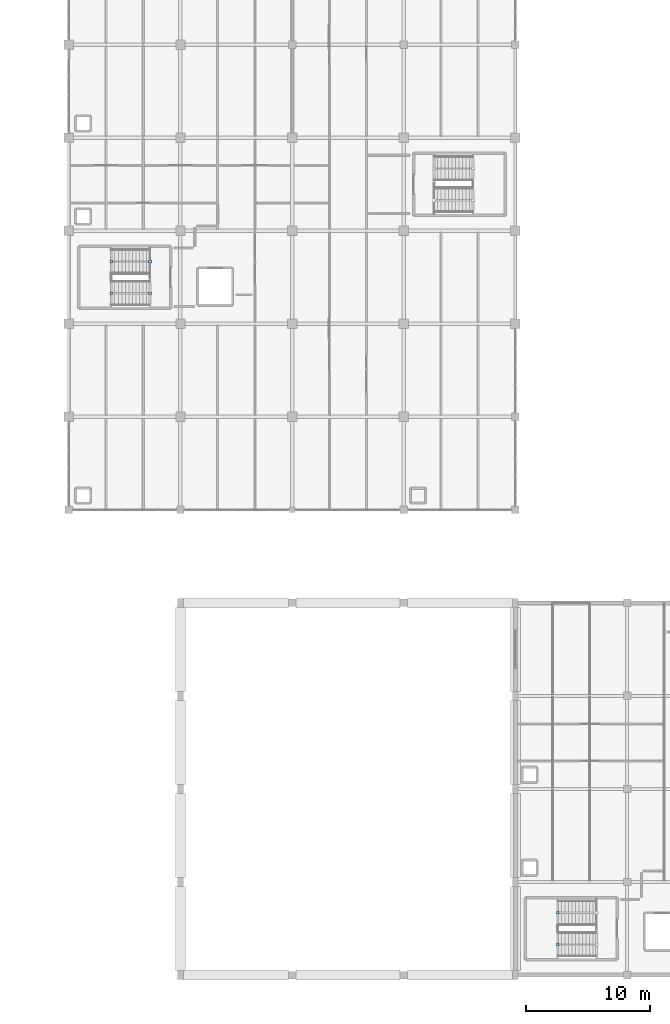
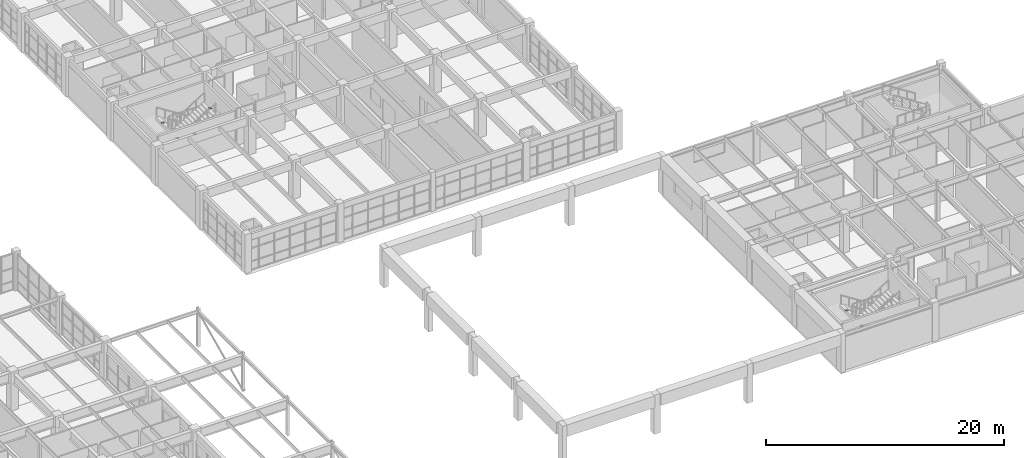
# One storey, part 59 of 76: 6 plates.
"""IFC4 building model written with IfcOpenShell, lengths in metres."""

import ifcopenshell
import ifcopenshell.guid

model = None  # the IFC model being written
_history = None  # IfcOwnerHistory: only IFC2X3 demands one
_inside = {}  # id of a spatial element -> (the spatial element, [elements in it])
_under = {}  # id of a project, library or spatial element -> (it, [spatial elements below it])
_declared = {}  # id of a project -> (the project, [libraries it declares])
_typed = {}  # id of a type object -> (the type object, [elements of that type])
_made_of = {}  # id of a material, layer set ... -> (it, [elements and type objects made of it])


def new_model(schema):
    """Start an empty IFC model of exactly this schema.

    Asked for "IFC4X3", IfcOpenShell would pick the latest addendum, in which some entities
    have other attributes; the version numbers below select the first issue.
    IFC2X3 requires an IfcOwnerHistory on every rooted entity: one is made here for all.
    """
    global model, _history
    if schema == "IFC4X3":
        model = ifcopenshell.file(schema_version=(4, 3, 0, 0))
    else:
        model = ifcopenshell.file(schema=schema)
    _inside.clear()
    _under.clear()
    _declared.clear()
    _typed.clear()
    _made_of.clear()
    _history = None
    if model.schema == "IFC2X3":
        org = make("IfcOrganization", Name="unknown")
        user = make(
            "IfcPersonAndOrganization",
            ThePerson=make("IfcPerson", FamilyName="unknown"),
            TheOrganization=org,
        )
        app = make(
            "IfcApplication",
            ApplicationDeveloper=org,
            Version="unknown",
            ApplicationFullName="unknown",
            ApplicationIdentifier="unknown",
        )
        _history = make(
            "IfcOwnerHistory",
            OwningUser=user,
            OwningApplication=app,
            ChangeAction="ADDED",
            CreationDate=0,
        )
    return model


def make(cls, **values):
    """One entity of the class cls with the attributes given. An attribute that is None is left unset."""
    return model.create_entity(
        cls, **{name: value for name, value in values.items() if value is not None}
    )


def rooted(cls, **values):
    """An entity with a GlobalId (a new one), such as an element, a storey or a relation."""
    return make(cls, GlobalId=ifcopenshell.guid.new(), OwnerHistory=_history, **values)


def si_unit(unit_type, name, prefix=None):
    """IfcSIUnit, for example si_unit("LENGTHUNIT", "METRE", prefix="MILLI")."""
    return make("IfcSIUnit", UnitType=unit_type, Prefix=prefix, Name=name)


def assignment(units):
    """IfcUnitAssignment: the units of a project."""
    return None if units is None else make("IfcUnitAssignment", Units=units)


def point(xyz):
    """IfcCartesianPoint."""
    return None if xyz is None else make("IfcCartesianPoint", Coordinates=xyz)


def direction(xyz):
    """IfcDirection."""
    return None if xyz is None else make("IfcDirection", DirectionRatios=xyz)


def frame(location, z_axis=None, x_axis=None):
    """IfcAxis2Placement3D, a coordinate frame: its origin and axes. An axis left out is left unset."""
    return make(
        "IfcAxis2Placement3D",
        Location=point(location),
        Axis=direction(z_axis),
        RefDirection=direction(x_axis),
    )


def frame_2d(location, x_axis=None):
    """IfcAxis2Placement2D, a coordinate frame in the plane: its origin and x axis."""
    return make(
        "IfcAxis2Placement2D", Location=point(location), RefDirection=direction(x_axis)
    )


def origin():
    """The frame at (0, 0, 0) with its axes left unset."""
    return frame((0.0, 0.0, 0.0))


def origin_2d():
    """The frame at (0, 0) in the plane with its x axis left unset."""
    return frame_2d((0.0, 0.0))


def place(relative_to, where):
    """IfcLocalPlacement: puts the frame where relative to a parent placement (None: the world)."""
    return make(
        "IfcLocalPlacement", PlacementRelTo=relative_to, RelativePlacement=where
    )


def context(
    kind, dimensions, precision=None, world=None, true_north=None, identifier=None
):
    """IfcGeometricRepresentationContext, for example the 3D "Model" context."""
    return make(
        "IfcGeometricRepresentationContext",
        ContextIdentifier=identifier,
        ContextType=kind,
        CoordinateSpaceDimension=dimensions,
        Precision=precision,
        WorldCoordinateSystem=world,
        TrueNorth=true_north,
    )


def subcontext(parent, identifier, kind, view, scale=None):
    """IfcGeometricRepresentationSubContext, for example "Body" below "Model"."""
    return make(
        "IfcGeometricRepresentationSubContext",
        ContextIdentifier=identifier,
        ContextType=kind,
        ParentContext=parent,
        TargetScale=scale,
        TargetView=view,
    )


def project(units=None, contexts=None):
    """IfcProject with its units and contexts."""
    return rooted(
        "IfcProject",
        Name="project",
        RepresentationContexts=contexts,
        UnitsInContext=assignment(units),
    )


def spatial(cls, under=None, at=None, **own):
    """A site, building, storey or space (cls), placed at a placement, below another one or the project."""
    s = rooted(cls, ObjectPlacement=at, **own)
    if under is not None:
        _under.setdefault(under.id(), (under, []))[1].append(s)
    return s


def profile(cls, at=None, kind="AREA", **sizes):
    """A parametric profile (cls). Its sizes go by their IFC names, for example OverallWidth=200.0."""
    return make(cls, ProfileType=kind, Position=at, **sizes)


def rectangle(**sizes):
    """IfcRectangleProfileDef."""
    return profile("IfcRectangleProfileDef", **sizes)


def extrude(swept, where, along, depth):
    """IfcExtrudedAreaSolid: the profile swept, set in the frame where, extruded along a direction by depth."""
    return make(
        "IfcExtrudedAreaSolid",
        SweptArea=swept,
        Position=where,
        ExtrudedDirection=direction(along),
        Depth=depth,
    )


def shape(context_of_items, identifier, shape_type, items):
    """IfcShapeRepresentation: the items that make up one representation, for example the "Body"."""
    return make(
        "IfcShapeRepresentation",
        ContextOfItems=context_of_items,
        RepresentationIdentifier=identifier,
        RepresentationType=shape_type,
        Items=items,
    )


def material(Name=None, Category=None):
    """IfcMaterial."""
    return make("IfcMaterial", Name=Name, Category=Category)


def layer(
    of_material, thickness, ventilated=None, Name=None, Category=None, Priority=None
):
    """IfcMaterialLayer: one layer of a wall or slab, of a material (None: an air gap)."""
    return make(
        "IfcMaterialLayer",
        Material=of_material,
        LayerThickness=thickness,
        IsVentilated=ventilated,
        Name=Name,
        Category=Category,
        Priority=Priority,
    )


def layer_set(layers, Name=None):
    """IfcMaterialLayerSet."""
    return make("IfcMaterialLayerSet", MaterialLayers=layers, LayerSetName=Name)


def made_of(thing, what):
    """Note that an element or type object is made of a material, layer set ...; save() writes the relation."""
    if what is not None:
        _made_of.setdefault(what.id(), (what, []))[1].append(thing)
    return thing


def type_object(cls, material=None, **own):
    """A type object (cls), such as IfcWallType, which elements share."""
    return made_of(rooted(cls, **own), material)


def element(
    cls,
    number,
    at=None,
    inside=None,
    cuts=None,
    type_object=None,
    material=None,
    context=None,
    identifier="Body",
    shape_type=None,
    held_by="IfcProductDefinitionShape",
    body=None,
    shapes=None,
    **own,
):
    """One element of the class cls, such as IfcWall. Its Tag is "e" and its number.

    at: its placement. inside: the storey or other place that contains it. cuts: it is an
    opening in that element (IfcRelVoidsElement). A single representation is given by context,
    identifier, shape_type and body (its items); several are given by shapes. held_by: the class
    of the entity that holds the representations. save() writes the other relations.
    """
    e = rooted(cls, Tag="e%d" % number, ObjectPlacement=at, **own)
    if body is not None:
        shapes = [shape(context, identifier, shape_type, body)]
    if shapes is not None:
        e.Representation = make(held_by, Representations=shapes)
    if inside is not None:
        _inside.setdefault(inside.id(), (inside, []))[1].append(e)
    if cuts is not None:
        rooted(
            "IfcRelVoidsElement", RelatingBuildingElement=cuts, RelatedOpeningElement=e
        )
    if type_object is not None:
        _typed.setdefault(type_object.id(), (type_object, []))[1].append(e)
    return made_of(e, material)


def aggregate(whole, parts):
    """IfcRelAggregates: a whole, such as a stair, and the parts it consists of."""
    return rooted("IfcRelAggregates", RelatingObject=whole, RelatedObjects=parts)


def save(model, path):
    """Write the relations noted so far, then the file.

    IfcRelAggregates (storeys below a building ...), IfcRelContainedInSpatialStructure (elements
    in a storey), IfcRelDefinesByType, IfcRelAssociatesMaterial and IfcRelDeclares: one each for
    every whole, place, type object, material and project.
    """
    for whole, parts in _under.values():
        aggregate(whole, parts)
    for where, things in _inside.values():
        rooted(
            "IfcRelContainedInSpatialStructure",
            RelatedElements=things,
            RelatingStructure=where,
        )
    for kind, things in _typed.values():
        rooted("IfcRelDefinesByType", RelatedObjects=things, RelatingType=kind)
    for what, things in _made_of.values():
        rooted("IfcRelAssociatesMaterial", RelatedObjects=things, RelatingMaterial=what)
    for by, libraries in _declared.values():
        rooted("IfcRelDeclares", RelatingContext=by, RelatedDefinitions=libraries)
    model.write(path)


model = new_model("IFC4")

# Units and contexts
model_context = context("Model", 3, precision=1e-05, world=origin(), true_north=direction((0.0, 1.0)))
body_context = subcontext(model_context, "Body", "Model", "MODEL_VIEW")
ifc_project = project(units=[si_unit("LENGTHUNIT", "METRE"), si_unit("AREAUNIT", "SQUARE_METRE"), si_unit("VOLUMEUNIT", "CUBIC_METRE"), si_unit("PLANEANGLEUNIT", "RADIAN"), si_unit("MASSUNIT", "GRAM", prefix="KILO")], contexts=[model_context])

# Site, building, storey
site_placement = place(None, origin())
site = spatial("IfcSite", under=ifc_project, at=site_placement, CompositionType="ELEMENT")
building_placement = place(site_placement, origin())
building = spatial("IfcBuilding", under=site, at=building_placement, Name="Marnridge Secondary College", CompositionType="ELEMENT")
storey_placement = place(building_placement, frame((0.0, 0.0, 4.5)))
storey = spatial("IfcBuildingStorey", under=building, at=storey_placement, Name="L01", CompositionType="ELEMENT", Elevation=4.5)

# Plates
ifc_material = material(Name="Structural steel plate Grade 350 (AS/NZS 3678, fy = 350 MPa <=12mm, 340 MPa 12-20mm, 330 MPa 20-50mm)", Category="steel")
ifc_layer = layer(ifc_material, 0.010009765625)
ifc_layer_set = layer_set([ifc_layer], Name="PT-CAP-INT")
plate_type = type_object("IfcPlateType", Name="PT-CAP-INT", PredefinedType="SHEET", material=ifc_layer_set)
for number, where, z_axis, x_axis, name in (
    (1, (60.54833984375, 57.530029296875, -0.33203125), (0.0, 0.0, 1.0), (-1.0, 0.0, 0.0), "Tube end cap STR-003-EC1"),
    (2, (57.41650390625, 57.530029296875, 1.8857421875), (0.0, 0.0, 1.0), (-1.0, 0.0, 0.0), "Tube end cap STR-003-EC2"),
    (3, (57.416748046875, 54.969970703125, 1.88818359375), (0.0, 0.0, 1.0), (1.0, 0.0, 0.0), "Tube end cap STR-004-EC1"),
    (4, (60.54833984375, 54.969970703125, 3.82568359375), (0.0, 0.0, 1.0), (1.0, 0.0, 0.0), "Tube end cap STR-004-EC2"),
    (5, (93.41650390625, 5.030029296875, 1.8857421875), (0.0, 0.0, 1.0), (-1.0, 0.0, 0.0), "Tube end cap STR-051-EC2"),
    (6, (93.416748046875, 2.469970703125, 1.88818359375), (0.0, 0.0, 1.0), (1.0, 0.0, 0.0), "Tube end cap STR-052-EC1"),
):
    element("IfcPlate", number, at=place(storey_placement, frame(where, z_axis=z_axis, x_axis=x_axis)), inside=storey, type_object=plate_type, Name=name, PredefinedType="SHEET", context=body_context, shape_type="SweptSolid", body=[
        extrude(rectangle(XDim=0.219970703125, YDim=0.219970703125, at=origin_2d()), origin(), (0.0, 0.0, 1.0), 0.010009765625),
    ])

save(model, "model.ifc")
